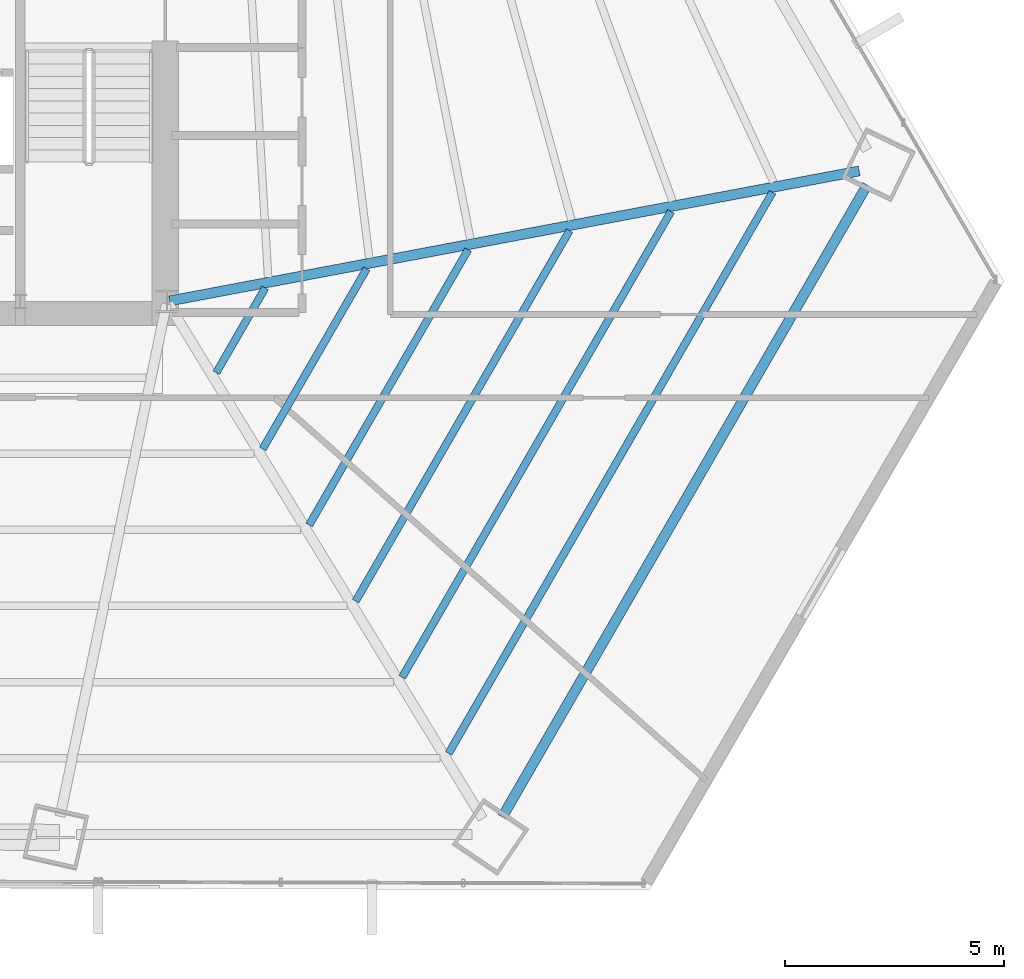
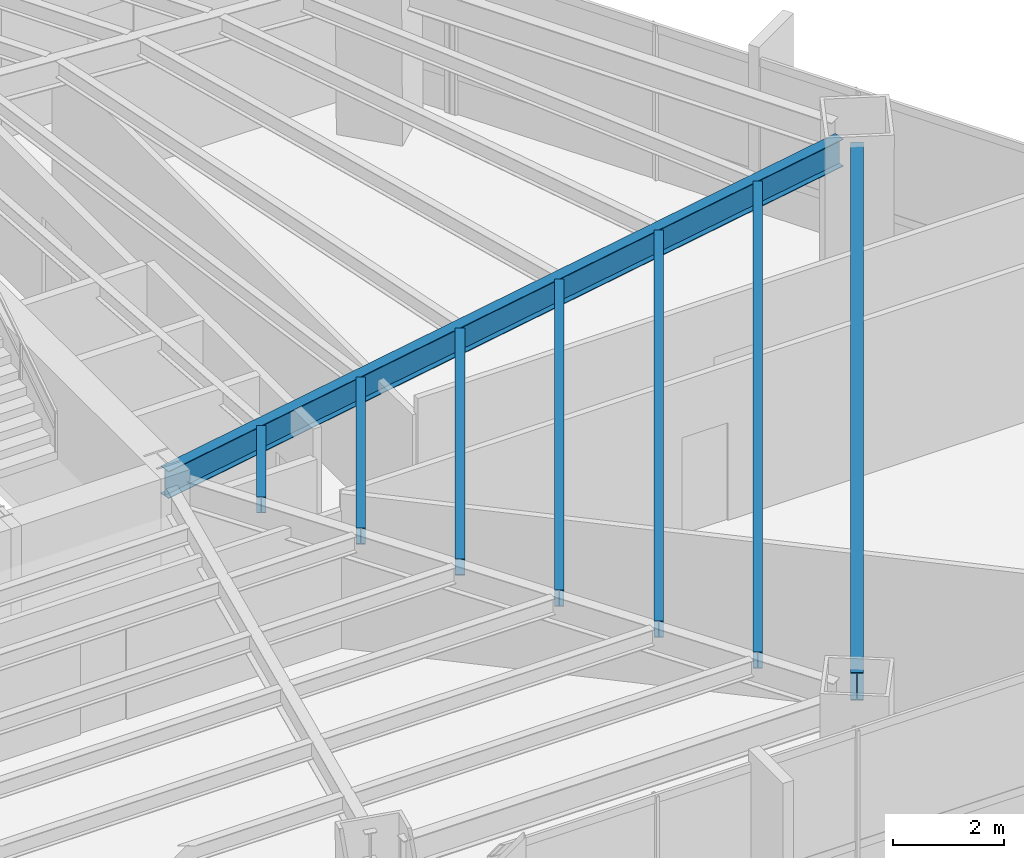
# One storey, part 19 of 37: 8 beams.
"""IFC4 building model written with IfcOpenShell, lengths in metres."""

from ifc_helpers import new_model, si_unit, direction, frame, origin, origin_2d, place, context, subcontext, project, spatial, i_section, extrude, source, transform, mapped, material, material_profile, profile_set, type_object, type_shapes, element, save


model = new_model("IFC4")

# Units and contexts
model_context = context("Model", 3, precision=1e-05, world=origin(), true_north=direction((0.0, 1.0)))
body_context = subcontext(model_context, "Body", "Model", "MODEL_VIEW")
ifc_project = project(units=[si_unit("LENGTHUNIT", "METRE"), si_unit("AREAUNIT", "SQUARE_METRE"), si_unit("VOLUMEUNIT", "CUBIC_METRE"), si_unit("PLANEANGLEUNIT", "RADIAN"), si_unit("MASSUNIT", "GRAM", prefix="KILO")], contexts=[model_context])

# Site, building, storey
site_placement = place(None, origin())
site = spatial("IfcSite", under=ifc_project, at=site_placement, CompositionType="ELEMENT")
building_placement = place(site_placement, origin())
building = spatial("IfcBuilding", under=site, at=building_placement, Name="Caelisora Broadcast Tower", CompositionType="ELEMENT")
storey_placement = place(building_placement, frame((0.0, 0.0, 45.85009765625)))
storey = spatial("IfcBuildingStorey", under=building, at=storey_placement, Name="L11", CompositionType="ELEMENT", Elevation=45.85009765625)

# Beams
ifc_material = material(Name="Steel Grade 350 (AS/NZS 3679.1)", Category="steel")
ifc_material_profile_1 = material_profile(ifc_material, i_section(OverallWidth=0.22900390625, OverallDepth=0.611572265625, WebThickness=0.011962890625, FlangeThickness=0.01953125, at=origin_2d()), Name="Steel Grade 350 (AS/NZS 3679.1)")
ifc_profile_set_1 = profile_set([ifc_material_profile_1], Name="Steel Grade 350 (AS/NZS 3679.1)")
beam_type_1 = type_object("IfcBeamType", Name="PG03", PredefinedType="BEAM", material=ifc_profile_set_1)
shared_shape_1 = source(origin(), body_context, "Body", "SweptSolid", [
    extrude(i_section(OverallWidth=0.22900390625, OverallDepth=0.611572265625, WebThickness=0.011962890625, FlangeThickness=0.01953125, at=origin_2d()), origin(), (0.0, 0.0, 1.0), 16.65673828125),
])
type_shapes(beam_type_1, [shared_shape_1])
beam_1_placement = place(storey_placement, frame((53.1572265625, 5.632080078125, 3.093994140625), z_axis=(0.499996504227, 0.866027422061, 0.0), x_axis=(-0.866027422061, 0.499996504227, 0.0)))
element("IfcBeam", 1, at=beam_1_placement, inside=storey, type_object=beam_type_1, Name="L11 beam PG03", PredefinedType="BEAM", context=body_context, shape_type="MappedRepresentation", body=[
    mapped(shared_shape_1, transform((0.0, 0.0, 0.0), scale=1.0)),
])
ifc_material_profile_2 = material_profile(ifc_material, i_section(OverallWidth=0.22802734375, OverallDepth=0.602294921875, WebThickness=0.010498046875, FlangeThickness=0.014892578125, at=origin_2d()), Name="Steel Grade 350 (AS/NZS 3679.1)")
ifc_profile_set_2 = profile_set([ifc_material_profile_2], Name="Steel Grade 350 (AS/NZS 3679.1)")
beam_type_2 = type_object("IfcBeamType", Name="PG04", PredefinedType="BEAM", material=ifc_profile_set_2)
shared_shape_2 = source(origin(), body_context, "Body", "SweptSolid", [
    extrude(i_section(OverallWidth=0.22802734375, OverallDepth=0.602294921875, WebThickness=0.010498046875, FlangeThickness=0.014892578125, at=origin_2d()), origin(), (0.0, 0.0, 1.0), 16.02099609375),
])
type_shapes(beam_type_2, [shared_shape_2])
beam_2_placement = place(storey_placement, frame((45.55908203125, 17.4111328125, 3.098876953125), z_axis=(0.98270426915, 0.185181854928, 0.0), x_axis=(-0.185181854928, 0.98270426915, 0.0)))
element("IfcBeam", 2, at=beam_2_placement, inside=storey, type_object=beam_type_2, Name="L11 beam PG04", PredefinedType="BEAM", context=body_context, shape_type="MappedRepresentation", body=[
    mapped(shared_shape_2, transform((0.0, 0.0, 0.0), scale=1.0)),
])
ifc_material_profile_3 = material_profile(ifc_material, i_section(OverallWidth=0.172119140625, OverallDepth=0.358642578125, WebThickness=0.008056640625, FlangeThickness=0.012939453125, at=origin_2d()), Name="Steel Grade 350 (AS/NZS 3679.1)")
ifc_profile_set_3 = profile_set([ifc_material_profile_3], Name="Steel Grade 350 (AS/NZS 3679.1)")
beam_type_3 = type_object("IfcBeamType", Name="SB02", PredefinedType="JOIST", material=ifc_profile_set_3)
shared_shape_3 = source(origin(), body_context, "Body", "SweptSolid", [
    extrude(i_section(OverallWidth=0.172119140625, OverallDepth=0.358642578125, WebThickness=0.008056640625, FlangeThickness=0.012939453125, at=origin_2d()), origin(), (0.0, 0.0, 1.0), 2.23681640625),
])
beam_3_placement = place(storey_placement, frame((46.62451171875, 15.771728515625, 3.220703125), z_axis=(0.499977539641, 0.866038370891, 0.0), x_axis=(-0.866038370891, 0.499977539641, 0.0)))
element("IfcBeam", 3, at=beam_3_placement, inside=storey, type_object=beam_type_3, Name="L11 beam SB02", PredefinedType="JOIST", context=body_context, shape_type="MappedRepresentation", body=[
    mapped(shared_shape_3, transform((0.0, 0.0, 0.0), scale=1.0)),
])
shared_shape_4 = source(origin(), body_context, "Body", "SweptSolid", [
    extrude(i_section(OverallWidth=0.172119140625, OverallDepth=0.358642578125, WebThickness=0.008056640625, FlangeThickness=0.012939453125, at=origin_2d()), origin(), (0.0, 0.0, 1.0), 4.747802734375),
])
beam_4_placement = place(storey_placement, frame((47.685546875, 14.03369140625, 3.220703125), z_axis=(0.499971721724, 0.866041729639, 0.0), x_axis=(-0.866041729639, 0.499971721724, 0.0)))
element("IfcBeam", 4, at=beam_4_placement, inside=storey, type_object=beam_type_3, Name="L11 beam SB02", PredefinedType="JOIST", context=body_context, shape_type="MappedRepresentation", body=[
    mapped(shared_shape_4, transform((0.0, 0.0, 0.0), scale=1.0)),
])
shared_shape_5 = source(origin(), body_context, "Body", "SweptSolid", [
    extrude(i_section(OverallWidth=0.172119140625, OverallDepth=0.358642578125, WebThickness=0.008056640625, FlangeThickness=0.012939453125, at=origin_2d()), origin(), (0.0, 0.0, 1.0), 7.2587890625),
])
beam_5_placement = place(storey_placement, frame((48.74658203125, 12.295654296875, 3.220703125), z_axis=(0.49999515472, 0.86602820119, 0.0), x_axis=(-0.86602820119, 0.49999515472, 0.0)))
element("IfcBeam", 5, at=beam_5_placement, inside=storey, type_object=beam_type_3, Name="L11 beam SB02", PredefinedType="JOIST", context=body_context, shape_type="MappedRepresentation", body=[
    mapped(shared_shape_5, transform((0.0, 0.0, 0.0), scale=1.0)),
])
shared_shape_6 = source(origin(), body_context, "Body", "SweptSolid", [
    extrude(i_section(OverallWidth=0.172119140625, OverallDepth=0.358642578125, WebThickness=0.008056640625, FlangeThickness=0.012939453125, at=origin_2d()), origin(), (0.0, 0.0, 1.0), 9.769775390625),
])
beam_6_placement = place(storey_placement, frame((49.8076171875, 10.5576171875, 3.220703125), z_axis=(0.499987800209, 0.866032447223, 0.0), x_axis=(-0.866032447223, 0.499987800209, 0.0)))
element("IfcBeam", 6, at=beam_6_placement, inside=storey, type_object=beam_type_3, Name="L11 beam SB02", PredefinedType="JOIST", context=body_context, shape_type="MappedRepresentation", body=[
    mapped(shared_shape_6, transform((0.0, 0.0, 0.0), scale=1.0)),
])
shared_shape_7 = source(origin(), body_context, "Body", "SweptSolid", [
    extrude(i_section(OverallWidth=0.172119140625, OverallDepth=0.358642578125, WebThickness=0.008056640625, FlangeThickness=0.012939453125, at=origin_2d()), origin(), (0.0, 0.0, 1.0), 12.28076171875),
])
beam_7_placement = place(storey_placement, frame((50.86865234375, 8.819580078125, 3.220703125), z_axis=(0.49999836324, 0.866026348766, 0.0), x_axis=(-0.866026348766, 0.49999836324, 0.0)))
element("IfcBeam", 7, at=beam_7_placement, inside=storey, type_object=beam_type_3, Name="L11 beam SB02", PredefinedType="JOIST", context=body_context, shape_type="MappedRepresentation", body=[
    mapped(shared_shape_7, transform((0.0, 0.0, 0.0), scale=1.0)),
])
shared_shape_8 = source(origin(), body_context, "Body", "SweptSolid", [
    extrude(i_section(OverallWidth=0.172119140625, OverallDepth=0.358642578125, WebThickness=0.008056640625, FlangeThickness=0.012939453125, at=origin_2d()), origin(), (0.0, 0.0, 1.0), 14.791748046875),
])
type_shapes(beam_type_3, [shared_shape_3, shared_shape_4, shared_shape_5, shared_shape_6, shared_shape_7, shared_shape_8])
beam_8_placement = place(storey_placement, frame((51.9296875, 7.08154296875, 3.220703125), z_axis=(0.499992961026, 0.8660294677, 0.0), x_axis=(-0.8660294677, 0.499992961026, 0.0)))
element("IfcBeam", 8, at=beam_8_placement, inside=storey, type_object=beam_type_3, Name="L11 beam SB02", PredefinedType="JOIST", context=body_context, shape_type="MappedRepresentation", body=[
    mapped(shared_shape_8, transform((0.0, 0.0, 0.0), scale=1.0)),
])

save(model, "model.ifc")
